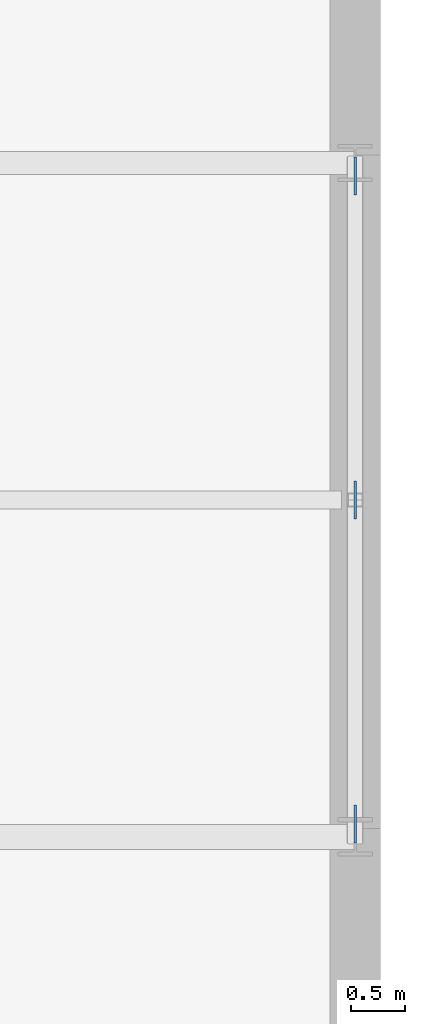
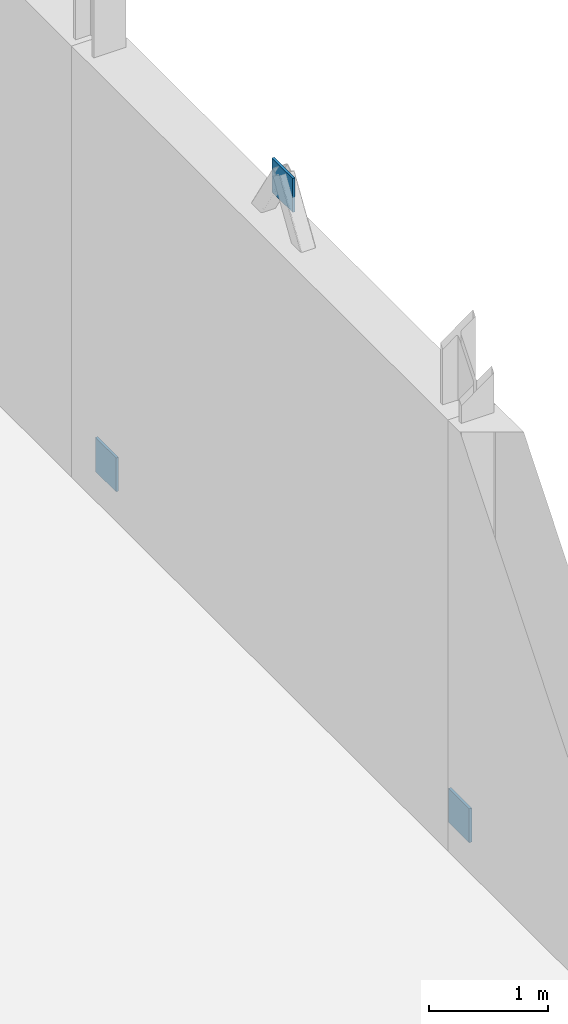
# One storey, part 85 of 105: 3 discrete accessories.
"""IFC4 building model written with IfcOpenShell, lengths in metres."""

from ifc_helpers import new_model, si_unit, direction, frame, origin, origin_2d, place, context, subcontext, project, spatial, rectangle, extrude, material, type_object, element, save


model = new_model("IFC4")

# Units and contexts
model_context = context("Model", 3, precision=1e-05, world=origin(), true_north=direction((0.0, 1.0)))
body_context = subcontext(model_context, "Body", "Model", "MODEL_VIEW")
ifc_project = project(units=[si_unit("LENGTHUNIT", "METRE"), si_unit("AREAUNIT", "SQUARE_METRE"), si_unit("VOLUMEUNIT", "CUBIC_METRE"), si_unit("PLANEANGLEUNIT", "RADIAN"), si_unit("MASSUNIT", "GRAM", prefix="KILO")], contexts=[model_context])

# Site, building, storey
site_placement = place(None, origin())
site = spatial("IfcSite", under=ifc_project, at=site_placement, CompositionType="ELEMENT")
building_placement = place(site_placement, origin())
building = spatial("IfcBuilding", under=site, at=building_placement, Name="Mirzam Square Science Centre", CompositionType="ELEMENT")
storey_placement = place(building_placement, frame((0.0, 0.0, 5.39990234375)))
storey = spatial("IfcBuildingStorey", under=building, at=storey_placement, Name="L01", CompositionType="ELEMENT", Elevation=5.39990234375)

# Discrete accessories
ifc_material = material(Name="Steel S355", Category="steel")
discrete_accessory_type = type_object("IfcDiscreteAccessoryType", Name="BK-BRACE-GUSSET", PredefinedType="BRACKET", material=ifc_material)
for number, where, z_axis, x_axis, name in (
    (1, (162.0, 12.52001953125, -0.0048828125), (0.0, 0.0, 1.0), (0.0, 1.0, 0.0), "L01 brace gusset plate 7A"),
    (2, (162.0, 18.47998046875, -0.0048828125), (0.0, 0.0, 1.0), (0.0, 1.0, 0.0), "L01 brace gusset plate 7B"),
    (3, (162.0, 15.5, 4.679931640625), (0.0, 0.0, 1.0), (0.0, 1.0, 0.0), "L01 brace apex gusset plate 7"),
):
    element("IfcDiscreteAccessory", number, at=place(storey_placement, frame(where, z_axis=z_axis, x_axis=x_axis)), inside=storey, type_object=discrete_accessory_type, Name=name, PredefinedType="BRACKET", context=body_context, shape_type="SweptSolid", body=[
        extrude(rectangle(XDim=0.35009765625, YDim=0.02490234375, at=origin_2d()), origin(), (0.0, 0.0, 1.0), 0.35009765625),
    ])

save(model, "model.ifc")
